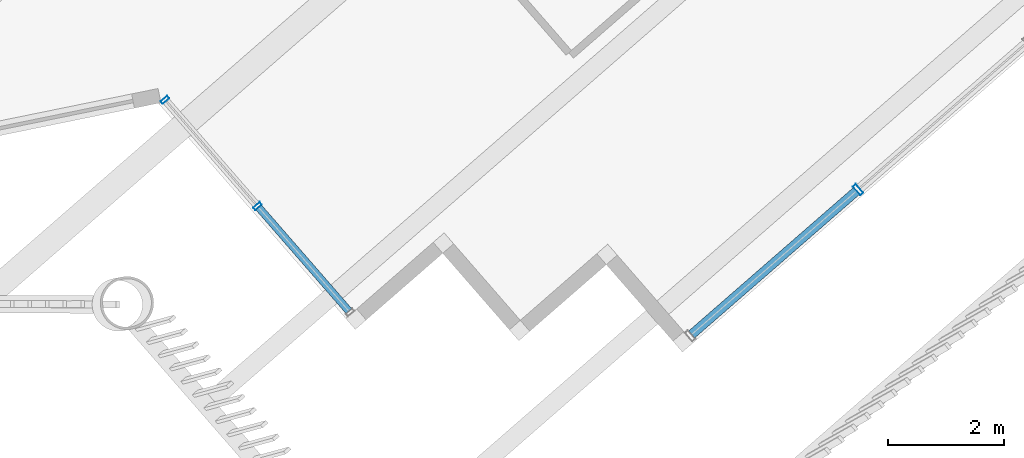
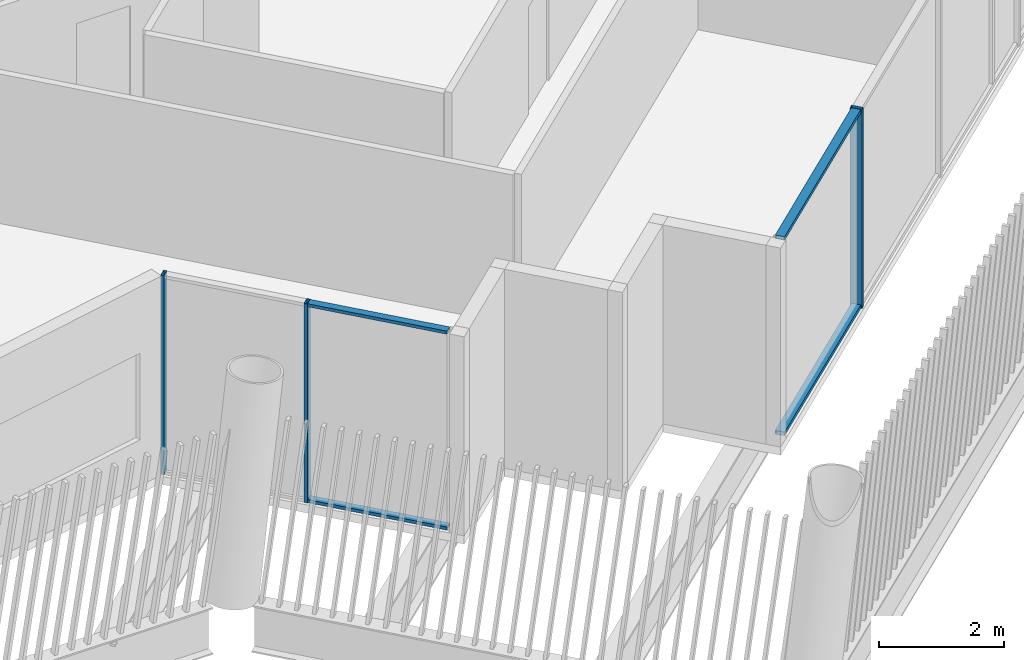
# One storey, part 10 of 28: 7 members, 2 elements without a shape of their own.
"""IFC4 building model written with IfcOpenShell, lengths in metres."""

from ifc_helpers import new_model, si_unit, direction, frame, origin, origin_2d, place, context, subcontext, project, spatial, hollow_rectangle, extrude, material, layer, layer_set, material_profile, profile_set, type_object, element, aggregate, save


model = new_model("IFC4")

# Units and contexts
model_context = context("Model", 3, precision=1e-05, world=origin(), true_north=direction((0.0, 1.0)))
body_context = subcontext(model_context, "Body", "Model", "MODEL_VIEW")
ifc_project = project(units=[si_unit("LENGTHUNIT", "METRE"), si_unit("AREAUNIT", "SQUARE_METRE"), si_unit("VOLUMEUNIT", "CUBIC_METRE"), si_unit("PLANEANGLEUNIT", "RADIAN"), si_unit("MASSUNIT", "GRAM", prefix="KILO")], contexts=[model_context])

# Site, building, storey
site_placement = place(None, origin())
site = spatial("IfcSite", under=ifc_project, at=site_placement, CompositionType="ELEMENT")
building_placement = place(site_placement, origin())
building = spatial("IfcBuilding", under=site, at=building_placement, Name="Tarsis Ring Headquarters", CompositionType="ELEMENT")
storey_placement = place(building_placement, frame((0.0, 0.0, 394.39990234375)))
storey = spatial("IfcBuildingStorey", under=building, at=storey_placement, Name="L93", CompositionType="ELEMENT", Elevation=394.39990234375)

# Curtain wall, member
ifc_material_1 = material(Name="Aluminium curtain wall", Category="aluminium")
ifc_layer_1 = layer(ifc_material_1, 0.199951171875)
ifc_layer_set_1 = layer_set([ifc_layer_1], Name="Curtain wall executive tip")
curtain_wall_type_1 = type_object("IfcCurtainWallType", Name="Curtain wall executive tip", PredefinedType="NOTDEFINED", material=ifc_layer_set_1)
curtain_wall_1_placement = place(storey_placement, origin())
curtain_wall_1 = element("IfcCurtainWall", 1, at=curtain_wall_1_placement, inside=storey, type_object=curtain_wall_type_1, Name="Curtain wall L93-11", PredefinedType="NOTDEFINED")
ifc_material_2 = material(Name="Aluminium mullion", Category="aluminium")
ifc_material_profile_1 = material_profile(ifc_material_2, hollow_rectangle(XDim=0.199951171875, YDim=0.070068359375, WallThickness=0.0048828125, at=origin_2d()), Name="RHS 200x70x5")
ifc_profile_set_1 = profile_set([ifc_material_profile_1], Name="Aluminium mullion")
member_type_1 = type_object("IfcMemberType", Name="Curtain wall mullion executive tip RHS 200x70x5", PredefinedType="MULLION", material=ifc_profile_set_1)
member_1_placement = place(storey_placement, frame((18.005859375, -26.5859375, 0.0), z_axis=(0.0, 0.0, 1.0), x_axis=(-0.656585760716, 0.754251376416, 0.0)))
member_1 = element("IfcMember", 2, at=member_1_placement, type_object=member_type_1, Name="CW-E mullion 2", PredefinedType="MULLION", context=body_context, shape_type="SweptSolid", body=[
    extrude(hollow_rectangle(XDim=0.199951171875, YDim=0.070068359375, WallThickness=0.0048828125, at=origin_2d()), origin(), (0.0, 0.0, 1.0), 3.900146484375),
])

# Curtain wall, members
ifc_layer_2 = layer(ifc_material_1, 0.14990234375)
ifc_layer_set_2 = layer_set([ifc_layer_2], Name="Curtain wall tower unit")
curtain_wall_type_2 = type_object("IfcCurtainWallType", Name="Curtain wall tower unit", PredefinedType="NOTDEFINED", material=ifc_layer_set_2)
curtain_wall_2_placement = place(storey_placement, origin())
curtain_wall_2 = element("IfcCurtainWall", 3, at=curtain_wall_2_placement, inside=storey, type_object=curtain_wall_type_2, Name="Curtain wall L93-06", PredefinedType="NOTDEFINED")
ifc_material_profile_2 = material_profile(ifc_material_2, hollow_rectangle(XDim=0.14990234375, YDim=0.06005859375, WallThickness=0.0048828125, at=origin_2d()), Name="RHS 150x60x5")
ifc_profile_set_2 = profile_set([ifc_material_profile_2], Name="Aluminium mullion")
member_type_2 = type_object("IfcMemberType", Name="Curtain wall mullion tower unit RHS 150x60x5", PredefinedType="MULLION", material=ifc_profile_set_2)
member_2_placement = place(storey_placement, frame((6.051513671875, -25.03759765625, 0.0), z_axis=(0.0, 0.0, 1.0), x_axis=(0.754251315348, 0.656585830868, 0.0)))
member_2 = element("IfcMember", 4, at=member_2_placement, type_object=member_type_2, Name="CW-T mullion 1", PredefinedType="MULLION", context=body_context, shape_type="SweptSolid", body=[
    extrude(hollow_rectangle(XDim=0.14990234375, YDim=0.06005859375, WallThickness=0.0048828125, at=origin_2d()), origin(), (0.0, 0.0, 1.0), 3.900146484375),
])
member_3_placement = place(storey_placement, frame((7.647705078125, -26.871337890625, 0.0), z_axis=(0.0, 0.0, 1.0), x_axis=(0.754251315348, 0.656585830868, 0.0)))
member_3 = element("IfcMember", 5, at=member_3_placement, type_object=member_type_2, Name="CW-T mullion 2", PredefinedType="MULLION", context=body_context, shape_type="SweptSolid", body=[
    extrude(hollow_rectangle(XDim=0.14990234375, YDim=0.06005859375, WallThickness=0.0048828125, at=origin_2d()), origin(), (0.0, 0.0, 1.0), 3.900146484375),
])

# Member
ifc_material_3 = material(Name="Aluminium transom", Category="aluminium")
ifc_material_profile_3 = material_profile(ifc_material_3, hollow_rectangle(XDim=0.159912109375, YDim=0.070068359375, WallThickness=0.0048828125, at=origin_2d()), Name="RHS 160x70x5")
ifc_profile_set_3 = profile_set([ifc_material_profile_3], Name="Aluminium transom")
member_type_3 = type_object("IfcMemberType", Name="Curtain wall transom executive tip RHS 160x70x5", PredefinedType="USERDEFINED", material=ifc_profile_set_3)
member_4_placement = place(storey_placement, frame((15.135986328125, -29.084228515625, 0.03515625), z_axis=(0.754279180648, 0.656553819302, 0.0), x_axis=(-0.656553819302, 0.754279180648, 0.0)))
member_4 = element("IfcMember", 6, at=member_4_placement, type_object=member_type_3, Name="CW-E transom 1.1", ObjectType="TRANSOM", PredefinedType="USERDEFINED", context=body_context, shape_type="SweptSolid", body=[
    extrude(hollow_rectangle(XDim=0.159912109375, YDim=0.070068359375, WallThickness=0.0048828125, at=origin_2d()), origin(), (0.0, 0.0, 1.0), 3.769775390625),
])

member_5_placement = place(storey_placement, frame((15.135986328125, -29.084228515625, 3.864990234375), z_axis=(0.754279180648, 0.656553819302, 0.0), x_axis=(-0.656553819302, 0.754279180648, 0.0)))
member_5 = element("IfcMember", 7, at=member_5_placement, type_object=member_type_3, Name="CW-E transom 1.2", ObjectType="TRANSOM", PredefinedType="USERDEFINED", context=body_context, shape_type="SweptSolid", body=[
    extrude(hollow_rectangle(XDim=0.159912109375, YDim=0.070068359375, WallThickness=0.0048828125, at=origin_2d()), origin(), (0.0, 0.0, 1.0), 3.769775390625),
])

aggregate(curtain_wall_1, [member_1, member_4, member_5])

ifc_material_profile_4 = material_profile(ifc_material_3, hollow_rectangle(XDim=0.1298828125, YDim=0.06005859375, WallThickness=0.0048828125, at=origin_2d()), Name="RHS 130x60x5")
ifc_profile_set_4 = profile_set([ifc_material_profile_4], Name="Aluminium transom")
member_type_4 = type_object("IfcMemberType", Name="Curtain wall transom tower unit RHS 130x60x5", PredefinedType="USERDEFINED", material=ifc_profile_set_4)
member_6_placement = place(storey_placement, frame((7.66748046875, -26.893798828125, 0.030029296875), z_axis=(0.656555941987, -0.754277332976, 0.0), x_axis=(0.754277332976, 0.656555941987, 0.0)))
member_6 = element("IfcMember", 8, at=member_6_placement, type_object=member_type_4, Name="CW-T transom 2.1", ObjectType="TRANSOM", PredefinedType="USERDEFINED", context=body_context, shape_type="SweptSolid", body=[
    extrude(hollow_rectangle(XDim=0.1298828125, YDim=0.06005859375, WallThickness=0.0048828125, at=origin_2d()), origin(), (0.0, 0.0, 1.0), 2.370849609375),
])

member_7_placement = place(storey_placement, frame((7.66748046875, -26.893798828125, 3.8701171875), z_axis=(0.656555941987, -0.754277332976, 0.0), x_axis=(0.754277332976, 0.656555941987, 0.0)))
member_7 = element("IfcMember", 9, at=member_7_placement, type_object=member_type_4, Name="CW-T transom 2.2", ObjectType="TRANSOM", PredefinedType="USERDEFINED", context=body_context, shape_type="SweptSolid", body=[
    extrude(hollow_rectangle(XDim=0.1298828125, YDim=0.06005859375, WallThickness=0.0048828125, at=origin_2d()), origin(), (0.0, 0.0, 1.0), 2.370849609375),
])

aggregate(curtain_wall_2, [member_2, member_3, member_6, member_7])

save(model, "model.ifc")
